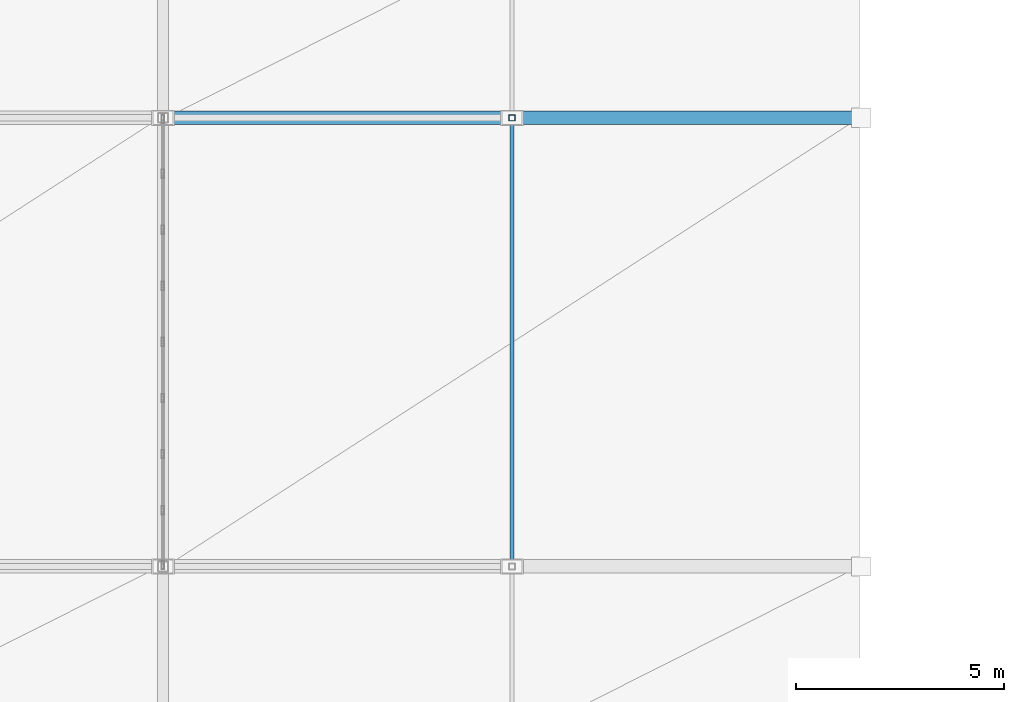
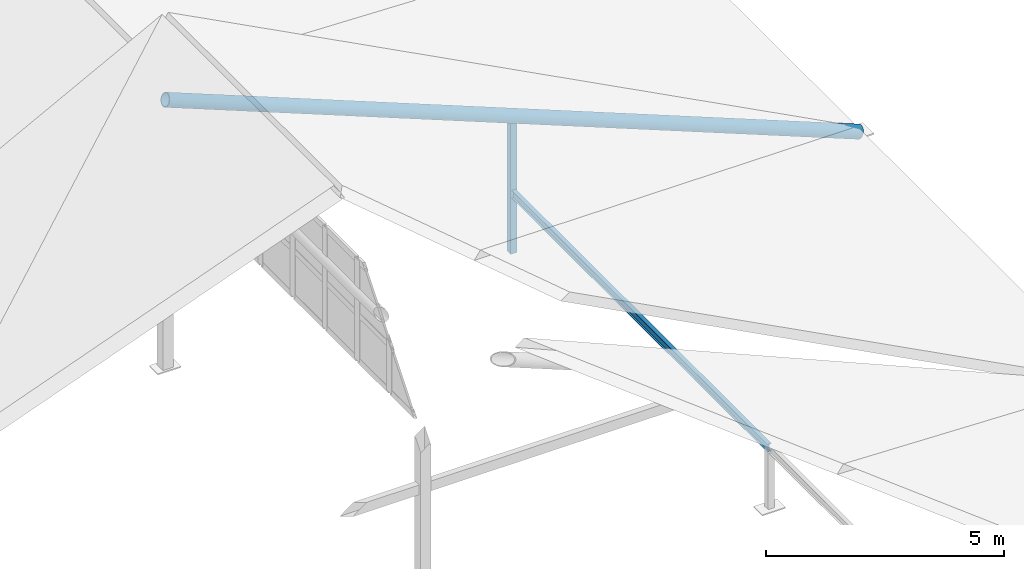
# One storey, part 35 of 76: 3 members.
"""IFC4 building model written with IfcOpenShell, lengths in metres."""

from ifc_helpers import new_model, si_unit, direction, frame, origin, origin_2d, place, context, subcontext, project, spatial, hollow_rectangle, hollow_circle, i_section, extrude, material, material_profile, profile_set, type_object, element, save


model = new_model("IFC4")

# Units and contexts
model_context = context("Model", 3, precision=1e-05, world=origin(), true_north=direction((0.0, 1.0)))
body_context = subcontext(model_context, "Body", "Model", "MODEL_VIEW")
ifc_project = project(units=[si_unit("LENGTHUNIT", "METRE"), si_unit("AREAUNIT", "SQUARE_METRE"), si_unit("VOLUMEUNIT", "CUBIC_METRE"), si_unit("PLANEANGLEUNIT", "RADIAN"), si_unit("MASSUNIT", "GRAM", prefix="KILO")], contexts=[model_context])

# Site, building, storey
site_placement = place(None, origin())
site = spatial("IfcSite", under=ifc_project, at=site_placement, CompositionType="ELEMENT")
building_placement = place(site_placement, origin())
building = spatial("IfcBuilding", under=site, at=building_placement, Name="Krzemoval Escarpment Law Courts", CompositionType="ELEMENT")
storey_placement = place(building_placement, frame((0.0, 0.0, 20.39990234375)))
storey = spatial("IfcBuildingStorey", under=building, at=storey_placement, Name="L04", CompositionType="ELEMENT", Elevation=20.39990234375)

# Members
ifc_material_1 = material(Name="Steel S355", Category="steel")
ifc_material_profile_1 = material_profile(ifc_material_1, hollow_circle(Radius=0.161865234375, WallThickness=0.01611328125, at=origin_2d()), Name="CHS 323.9x16")
ifc_profile_set_1 = profile_set([ifc_material_profile_1], Name="Steel S355")
member_type_1 = type_object("IfcMemberType", Name="MBR-CHD-CHS324", PredefinedType="CHORD", material=ifc_profile_set_1)
member_1_placement = place(storey_placement, frame((25.199951171875, 85.199951171875, 6.550048828125), z_axis=(0.928858805287, 0.0, -0.370433961511), x_axis=(0.0, 1.0, 0.0)))
element("IfcMember", 1, at=member_1_placement, inside=storey, type_object=member_type_1, Name="Roof Rafter Chord TC-0041", PredefinedType="CHORD", context=body_context, shape_type="SweptSolid", body=[
    extrude(hollow_circle(Radius=0.161865234375, WallThickness=0.01611328125, at=origin_2d()), origin(), (0.0, 0.0, 1.0), 18.086669921875),
])
ifc_material_2 = material(Name="Steel S355", Category="steel")
ifc_material_profile_2 = material_profile(ifc_material_2, i_section(OverallWidth=0.10009765625, OverallDepth=0.199951171875, WebThickness=0.005615234375, FlangeThickness=0.008544921875, at=origin_2d()), Name="IPE 200")
ifc_profile_set_2 = profile_set([ifc_material_profile_2], Name="Steel S355")
member_type_2 = type_object("IfcMemberType", Name="MBR-PUR-IPE200", PredefinedType="PURLIN", material=ifc_profile_set_2)
member_2_placement = place(storey_placement, frame((33.60009765625, 74.39990234375, 1.25), z_axis=(0.0, 1.0, 0.0), x_axis=(-1.0, 0.0, 0.0)))
element("IfcMember", 2, at=member_2_placement, inside=storey, type_object=member_type_2, Name="Roof Purlin PR-0072", PredefinedType="PURLIN", context=body_context, shape_type="SweptSolid", body=[
    extrude(i_section(OverallWidth=0.10009765625, OverallDepth=0.199951171875, WebThickness=0.005615234375, FlangeThickness=0.008544921875, at=origin_2d()), origin(), (0.0, 0.0, 1.0), 10.800048828125),
])
ifc_material_3 = material(Name="Steel S355", Category="steel")
ifc_material_profile_3 = material_profile(ifc_material_3, hollow_rectangle(XDim=0.14990234375, YDim=0.14990234375, WallThickness=0.008056640625, at=origin_2d()), Name="SHS 150x150x8")
ifc_profile_set_3 = profile_set([ifc_material_profile_3], Name="Steel S355")
member_type_3 = type_object("IfcMemberType", Name="MBR-STR-SHS150", PredefinedType="STRUT", material=ifc_profile_set_3)
member_3_placement = place(storey_placement, frame((33.60009765625, 85.199951171875, -0.27978515625), z_axis=(0.0, 0.0, 1.0), x_axis=(1.0, 0.0, 0.0)))
element("IfcMember", 3, at=member_3_placement, inside=storey, type_object=member_type_3, Name="Roof Truss Web Strut ST-0039", PredefinedType="STRUT", context=body_context, shape_type="SweptSolid", body=[
    extrude(hollow_rectangle(XDim=0.14990234375, YDim=0.14990234375, WallThickness=0.008056640625, at=origin_2d()), origin(), (0.0, 0.0, 1.0), 3.47998046875),
])

save(model, "model.ifc")
